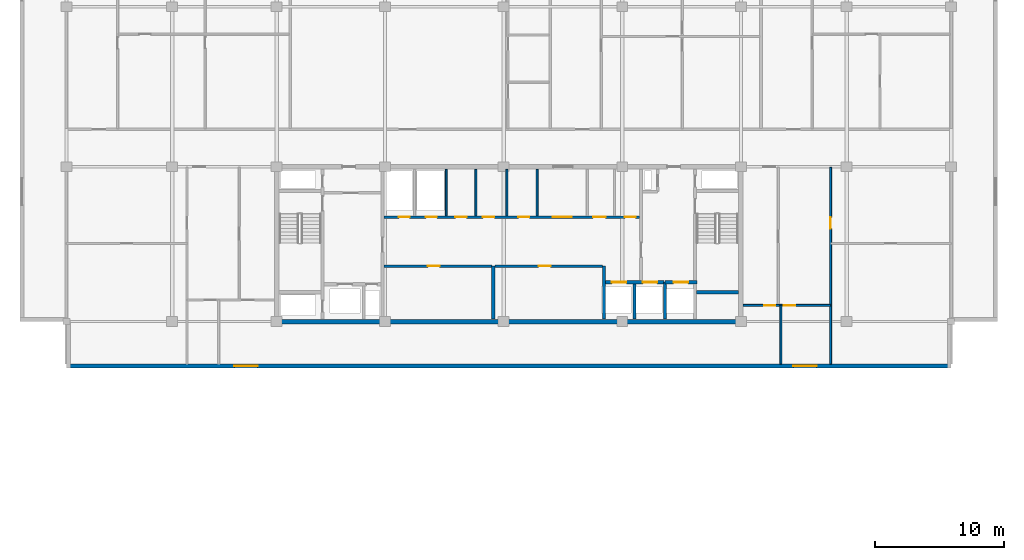
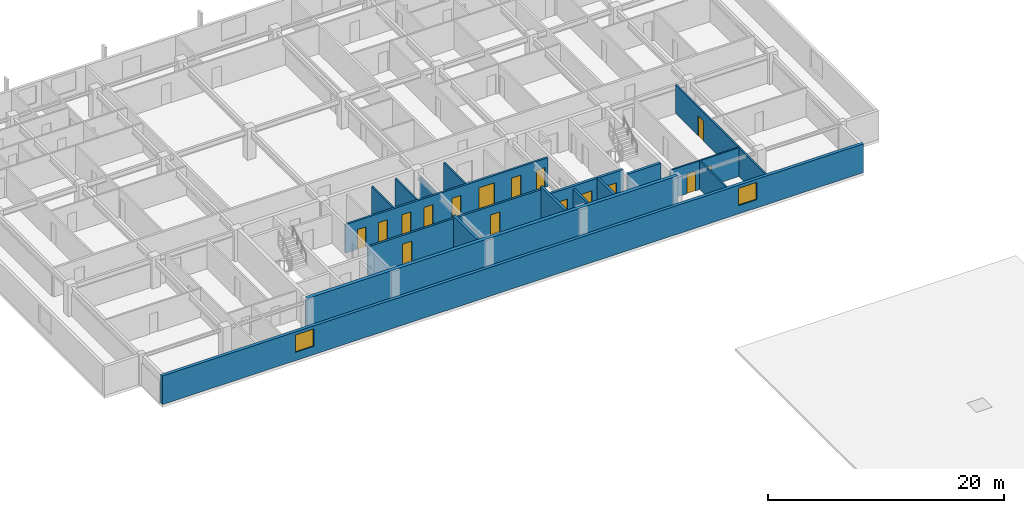
# One storey, part 4 of 11: 19 walls, 16 doors, 2 windows, 18 openings.
"""IFC4 building model written with IfcOpenShell, lengths in metres."""

from ifc_helpers import new_model, si_unit, direction, frame, frame_2d, origin, place, context, subcontext, project, spatial, rectangle, extrude, material, layer, layer_set, type_object, element, fill, save


model = new_model("IFC4")

# Units and contexts
model_context = context("Model", 3, precision=1e-05, world=origin(), true_north=direction((0.0, 1.0)))
body_context = subcontext(model_context, "Body", "Model", "MODEL_VIEW")
ifc_project = project(units=[si_unit("LENGTHUNIT", "METRE"), si_unit("AREAUNIT", "SQUARE_METRE"), si_unit("VOLUMEUNIT", "CUBIC_METRE"), si_unit("PLANEANGLEUNIT", "RADIAN"), si_unit("MASSUNIT", "GRAM", prefix="KILO")], contexts=[model_context])

# Site, building, storey
site_placement = place(None, origin())
site = spatial("IfcSite", under=ifc_project, at=site_placement, CompositionType="ELEMENT")
building_placement = place(site_placement, origin())
building = spatial("IfcBuilding", under=site, at=building_placement, Name="Korimba Cascade Residences", CompositionType="ELEMENT")
storey_placement = place(building_placement, frame((0.0, 0.0, 220.60009765625)))
storey = spatial("IfcBuildingStorey", under=building, at=storey_placement, Name="L64", CompositionType="ELEMENT", Elevation=220.60009765625)

# Wall, openings, windows
ifc_material_1 = material(Name="Precast concrete C40/50", Category="concrete")
ifc_layer_1 = layer(ifc_material_1, 0.300048828125)
ifc_layer_set_1 = layer_set([ifc_layer_1], Name="Precast concrete C40/50")
wall_type_1 = type_object("IfcWallType", Name="EW-STONE-300", PredefinedType="STANDARD", material=ifc_layer_set_1)
wall_1_placement = place(storey_placement, frame((59.800048828125, 51.75, 0.0), z_axis=(0.0, 0.0, 1.0), x_axis=(1.0, 0.0, 0.0)))
wall_1 = element("IfcWall", 1, at=wall_1_placement, inside=storey, type_object=wall_type_1, Name="L64 T1 Perimeter Stone Wall E00", PredefinedType="STANDARD", context=body_context, shape_type="SweptSolid", body=[
    extrude(rectangle(XDim=68.599853515625, YDim=0.300048828125, at=frame_2d((34.2998046875, 0.0))), origin(), (0.0, 0.0, 1.0), 2.969970703125),
])
opening_1_placement = place(wall_1_placement, frame((13.02490234375, 0.0, 0.85009765625)))
opening_1 = element("IfcOpeningElement", 2, at=opening_1_placement, cuts=wall_1, Name="Opening W-02", PredefinedType="OPENING", context=body_context, shape_type="SweptSolid", body=[
    extrude(rectangle(XDim=1.800048828125, YDim=1.800048828125, at=frame_2d((0.89990234375, 0.89990234375))), frame((0.0, 0.16015625, 0.0), z_axis=(0.0, -1.0, 0.0), x_axis=(1.0, 0.0, 0.0)), (0.0, 0.0, 1.0), 0.320068359375),
])
opening_2_placement = place(wall_1_placement, frame((56.375, 0.0, 0.85009765625)))
opening_2 = element("IfcOpeningElement", 3, at=opening_2_placement, cuts=wall_1, Name="Opening W-02", PredefinedType="OPENING", context=body_context, shape_type="SweptSolid", body=[
    extrude(rectangle(XDim=1.800048828125, YDim=1.800048828125, at=frame_2d((0.89990234375, 0.89990234375))), frame((0.0, 0.16015625, 0.0), z_axis=(0.0, -1.0, 0.0), x_axis=(1.0, 0.0, 0.0)), (0.0, 0.0, 1.0), 0.320068359375),
])
ifc_material_2 = material(Name="Double-Glazed Aluminium Window", Category="aluminium")
window_type = type_object("IfcWindowType", Name="WIN-BED-1800", PartitioningType="SINGLE_PANEL", PredefinedType="WINDOW", material=ifc_material_2)
window_1_placement = place(opening_1_placement, origin())
window_1 = element("IfcWindow", 4, at=window_1_placement, inside=storey, type_object=window_type, Name="L64 T1 South Corner Bedroom Window 1", OverallHeight=1.800048828125, OverallWidth=1.800048828125, PartitioningType="SINGLE_PANEL", PredefinedType="WINDOW", context=body_context, shape_type="SweptSolid", body=[
    extrude(rectangle(XDim=1.800048828125, YDim=1.800048828125, at=frame_2d((0.89990234375, 0.89990234375))), frame((0.0, 0.030029296875, 0.0), z_axis=(0.0, -1.0, 0.0), x_axis=(1.0, 0.0, 0.0)), (0.0, 0.0, 1.0), 0.06005859375),
])
fill(opening_1, window_1)
window_2_placement = place(opening_2_placement, origin())
window_2 = element("IfcWindow", 5, at=window_2_placement, inside=storey, type_object=window_type, Name="L64 T1 South Corner Bedroom Window 2", OverallHeight=1.800048828125, OverallWidth=1.800048828125, PartitioningType="SINGLE_PANEL", PredefinedType="WINDOW", context=body_context, shape_type="SweptSolid", body=[
    extrude(rectangle(XDim=1.800048828125, YDim=1.800048828125, at=frame_2d((0.89990234375, 0.89990234375))), frame((0.0, 0.030029296875, 0.0), z_axis=(0.0, -1.0, 0.0), x_axis=(1.0, 0.0, 0.0)), (0.0, 0.0, 1.0), 0.06005859375),
])
fill(opening_2, window_2)

# Walls
ifc_material_3 = material(Name="Concrete C65/80", Category="concrete")
ifc_layer_2 = layer(ifc_material_3, 0.35009765625)
ifc_layer_set_2 = layer_set([ifc_layer_2], Name="Concrete C65/80")
wall_type_2 = type_object("IfcWallType", Name="WAL-CORE-350", PredefinedType="SHEAR", material=ifc_layer_set_2)
wall_2_placement = place(storey_placement, frame((75.949951171875, 55.199951171875, 0.0), z_axis=(0.0, 0.0, 1.0), x_axis=(1.0, 0.0, 0.0)))
element("IfcWall", 6, at=wall_2_placement, inside=storey, type_object=wall_type_2, Name="L64 Core Shear Wall CW-L64-T1-S", PredefinedType="SHEAR", context=body_context, shape_type="SweptSolid", body=[
    extrude(rectangle(XDim=36.300048828125, YDim=0.35009765625, at=frame_2d((18.14990234375, 0.0))), origin(), (0.0, 0.0, 1.0), 3.25),
])
ifc_material_4 = material(Name="Insulated Acoustic Stud Partition", Category="gypsum")
ifc_layer_3 = layer(ifc_material_4, 0.14990234375)
ifc_layer_set_3 = layer_set([ifc_layer_3], Name="Insulated Acoustic Stud Partition")
wall_type_3 = type_object("IfcWallType", Name="WAL-PART-150", PredefinedType="PARTITIONING", material=ifc_layer_set_3)
for number, where, z_axis, x_axis, name in (
    (7, (89.25, 63.39990234375, 0.0), (0.0, 0.0, 1.0), (0.0, 1.0, 0.0), "L64 Partition Wall CW-L64-T1-PRDIV"),
    (8, (91.550048828125, 63.39990234375, 0.0), (0.0, 0.0, 1.0), (0.0, 1.0, 0.0), "L64 Partition Wall CW-L64-T1-CA1W1"),
):
    element("IfcWall", number, at=place(storey_placement, frame(where, z_axis=z_axis, x_axis=x_axis)), inside=storey, type_object=wall_type_3, Name=name, PredefinedType="PARTITIONING", context=body_context, shape_type="SweptSolid", body=[
        extrude(rectangle(XDim=3.60009765625, YDim=0.14990234375, at=frame_2d((1.800048828125, 0.0))), origin(), (0.0, 0.0, 1.0), 2.969970703125),
    ])
wall_3_placement = place(storey_placement, frame((93.949951171875, 63.39990234375, 0.0), z_axis=(0.0, 0.0, 1.0), x_axis=(0.0, 1.0, 0.0)))
element("IfcWall", 9, at=wall_3_placement, inside=storey, type_object=wall_type_3, Name="L64 Partition Wall CW-L64-T1-CA1W2", PredefinedType="PARTITIONING", context=body_context, shape_type="SweptSolid", body=[
    extrude(rectangle(XDim=3.60009765625, YDim=0.14990234375, at=frame_2d((1.800048828125, 0.0))), origin(), (0.0, 0.0, 1.0), 2.277099609375),
])
wall_4_placement = place(storey_placement, frame((96.300048828125, 63.39990234375, 0.0), z_axis=(0.0, 0.0, 1.0), x_axis=(0.0, 1.0, 0.0)))
element("IfcWall", 10, at=wall_4_placement, inside=storey, type_object=wall_type_3, Name="L64 Partition Wall CW-L64-T1-THW", PredefinedType="PARTITIONING", context=body_context, shape_type="SweptSolid", body=[
    extrude(rectangle(XDim=3.60009765625, YDim=0.14990234375, at=frame_2d((1.800048828125, 0.0))), origin(), (0.0, 0.0, 1.0), 2.969970703125),
])

# Wall, opening, door
wall_5_placement = place(storey_placement, frame((119.050048828125, 51.89990234375, 0.0), z_axis=(0.0, 0.0, 1.0), x_axis=(0.0, 1.0, 0.0)))
wall_5 = element("IfcWall", 11, at=wall_5_placement, inside=storey, type_object=wall_type_3, Name="L64 Partition Wall WAL-L64-T1-FE-STV", PredefinedType="PARTITIONING", context=body_context, shape_type="SweptSolid", body=[
    extrude(rectangle(XDim=15.25, YDim=0.14990234375, at=frame_2d((7.625, 0.0))), origin(), (0.0, 0.0, 1.0), 2.969970703125),
])
opening_3_placement = place(wall_5_placement, frame((10.5, 0.0, 0.0)))
opening_3 = element("IfcOpeningElement", 12, at=opening_3_placement, cuts=wall_5, Name="Opening D-IN2", PredefinedType="OPENING", context=body_context, shape_type="SweptSolid", body=[
    extrude(rectangle(XDim=0.8798828125, YDim=2.06005859375, at=frame_2d((0.43994140625, 1.030029296875))), frame((0.0, 0.0849609375, 0.0), z_axis=(0.0, -1.0, 0.0), x_axis=(1.0, 0.0, 0.0)), (0.0, 0.0, 1.0), 0.169921875),
])
ifc_material_5 = material(Name="Acoustic Timber Bedroom Door", Category="wood")
door_type_1 = type_object("IfcDoorType", Name="DR-INT-880", OperationType="NOTDEFINED", PredefinedType="DOOR", material=ifc_material_5)
door_1_placement = place(opening_3_placement, origin())
door_1 = element("IfcDoor", 13, at=door_1_placement, inside=storey, type_object=door_type_1, Name="L64-T1-FE Study Door", OperationType="SINGLE_SWING_RIGHT", OverallHeight=2.06005859375, OverallWidth=0.8798828125, PredefinedType="DOOR", context=body_context, shape_type="SweptSolid", body=[
    extrude(rectangle(XDim=0.8798828125, YDim=2.06005859375, at=frame_2d((0.43994140625, 1.030029296875))), frame((0.0, 0.02490234375, 0.0), z_axis=(0.0, -1.0, 0.0), x_axis=(1.0, 0.0, 0.0)), (0.0, 0.0, 1.0), 0.050048828125),
])
fill(opening_3, door_1)

# Wall
wall_6_placement = place(storey_placement, frame((115.199951171875, 51.89990234375, 0.0), z_axis=(0.0, 0.0, 1.0), x_axis=(0.0, 1.0, 0.0)))
element("IfcWall", 14, at=wall_6_placement, inside=storey, type_object=wall_type_3, Name="L64 Partition Wall WAL-L64-T1-FE-VS", PredefinedType="PARTITIONING", context=body_context, shape_type="SweptSolid", body=[
    extrude(rectangle(XDim=4.550048828125, YDim=0.14990234375, at=frame_2d((2.27490234375, 0.0))), origin(), (0.0, 0.0, 1.0), 2.969970703125),
])

# Wall, openings, doors
wall_7_placement = place(storey_placement, frame((112.27001953125, 56.449951171875, 0.0), z_axis=(0.0, 0.0, 1.0), x_axis=(1.0, 0.0, 0.0)))
wall_7 = element("IfcWall", 15, at=wall_7_placement, inside=storey, type_object=wall_type_3, Name="L64 Partition Wall WAL-L64-T1-FE-H", PredefinedType="PARTITIONING", context=body_context, shape_type="SweptSolid", body=[
    extrude(rectangle(XDim=6.760009765625, YDim=0.14990234375, at=frame_2d((3.3798828125, 0.0))), origin(), (0.0, 0.0, 1.0), 2.969970703125),
])
opening_4_placement = place(wall_7_placement, frame((1.6396484375, 0.0, 0.0)))
opening_4 = element("IfcOpeningElement", 16, at=opening_4_placement, cuts=wall_7, Name="Opening D-BT1", PredefinedType="OPENING", context=body_context, shape_type="SweptSolid", body=[
    extrude(rectangle(XDim=0.840087890625, YDim=2.0400390625, at=frame_2d((0.419921875, 1.02001953125))), frame((0.0, 0.0849609375, 0.0), z_axis=(0.0, -1.0, 0.0), x_axis=(1.0, 0.0, 0.0)), (0.0, 0.0, 1.0), 0.169921875),
])
opening_5_placement = place(wall_7_placement, frame((3.160400390625, 0.0, 0.0)))
opening_5 = element("IfcOpeningElement", 17, at=opening_5_placement, cuts=wall_7, Name="Opening D-IN2", PredefinedType="OPENING", context=body_context, shape_type="SweptSolid", body=[
    extrude(rectangle(XDim=0.8798828125, YDim=2.06005859375, at=frame_2d((0.43994140625, 1.030029296875))), frame((0.0, 0.0849609375, 0.0), z_axis=(0.0, -1.0, 0.0), x_axis=(1.0, 0.0, 0.0)), (0.0, 0.0, 1.0), 0.169921875),
])
ifc_material_6 = material(Name="Moisture-Resistant Bathroom Timber Door", Category="wood")
door_type_2 = type_object("IfcDoorType", Name="DR-INT-850", OperationType="NOTDEFINED", PredefinedType="DOOR", material=ifc_material_6)
door_2_placement = place(opening_4_placement, origin())
door_2 = element("IfcDoor", 18, at=door_2_placement, inside=storey, type_object=door_type_2, Name="L64-T1-FE Bathroom Door", OperationType="SINGLE_SWING_RIGHT", OverallHeight=2.0400390625, OverallWidth=0.840087890625, PredefinedType="DOOR", context=body_context, shape_type="SweptSolid", body=[
    extrude(rectangle(XDim=0.840087890625, YDim=2.0400390625, at=frame_2d((0.419921875, 1.02001953125))), frame((0.0, 0.02490234375, 0.0), z_axis=(0.0, -1.0, 0.0), x_axis=(1.0, 0.0, 0.0)), (0.0, 0.0, 1.0), 0.050048828125),
])
fill(opening_4, door_2)
door_3_placement = place(opening_5_placement, origin())
door_3 = element("IfcDoor", 19, at=door_3_placement, inside=storey, type_object=door_type_1, Name="L64-T1-FE Bedroom Door", OperationType="SINGLE_SWING_LEFT", OverallHeight=2.06005859375, OverallWidth=0.8798828125, PredefinedType="DOOR", context=body_context, shape_type="SweptSolid", body=[
    extrude(rectangle(XDim=0.8798828125, YDim=2.06005859375, at=frame_2d((0.43994140625, 1.030029296875))), frame((0.0, 0.02490234375, 0.0), z_axis=(0.0, -1.0, 0.0), x_axis=(1.0, 0.0, 0.0)), (0.0, 0.0, 1.0), 0.050048828125),
])
fill(opening_5, door_3)

# Wall, opening, door
ifc_material_7 = material(Name="Concrete C40/50", Category="concrete")
ifc_layer_4 = layer(ifc_material_7, 0.199951171875)
ifc_layer_set_4 = layer_set([ifc_layer_4], Name="Concrete C40/50")
wall_type_4 = type_object("IfcWallType", Name="WAL-PART-200", PredefinedType="PARTITIONING", material=ifc_layer_set_4)
wall_8_placement = place(storey_placement, frame((84.419921875, 59.5, 0.0), z_axis=(0.0, 0.0, 1.0), x_axis=(1.0, 0.0, 0.0)))
wall_8 = element("IfcWall", 20, at=wall_8_placement, inside=storey, type_object=wall_type_4, Name="L64 Partition Wall CW-L64-T1-B1RN", PredefinedType="PARTITIONING", context=body_context, shape_type="SweptSolid", body=[
    extrude(rectangle(XDim=8.360107421875, YDim=0.199951171875, at=frame_2d((4.18017578125, 0.0))), origin(), (0.0, 0.0, 1.0), 2.969970703125),
])
opening_6_placement = place(wall_8_placement, frame((3.39990234375, 0.0, 0.0)))
opening_6 = element("IfcOpeningElement", 21, at=opening_6_placement, cuts=wall_8, Name="Opening D-ST1", PredefinedType="OPENING", context=body_context, shape_type="SweptSolid", body=[
    extrude(rectangle(XDim=0.919921875, YDim=2.080078125, at=frame_2d((0.4599609375, 1.0400390625))), frame((0.0, 0.10986328125, 0.0), z_axis=(0.0, -1.0, 0.0), x_axis=(1.0, 0.0, 0.0)), (0.0, 0.0, 1.0), 0.219970703125),
])
ifc_material_8 = material(Name="Fire-Rated Core Store Door", Category="wood")
door_type_3 = type_object("IfcDoorType", Name="DR-FD60-920", OperationType="NOTDEFINED", PredefinedType="DOOR", material=ifc_material_8)
door_4_placement = place(opening_6_placement, origin())
door_4 = element("IfcDoor", 22, at=door_4_placement, inside=storey, type_object=door_type_3, Name="L64 Resident Storage Door", OperationType="SINGLE_SWING_RIGHT", OverallHeight=2.080078125, OverallWidth=0.919921875, PredefinedType="DOOR", context=body_context, shape_type="SweptSolid", body=[
    extrude(rectangle(XDim=0.919921875, YDim=2.080078125, at=frame_2d((0.4599609375, 1.0400390625))), frame((0.0, 0.02490234375, 0.0), z_axis=(0.0, -1.0, 0.0), x_axis=(1.0, 0.0, 0.0)), (0.0, 0.0, 1.0), 0.050048828125),
])
fill(opening_6, door_4)

wall_9_placement = place(storey_placement, frame((93.02001953125, 59.5, 0.0), z_axis=(0.0, 0.0, 1.0), x_axis=(1.0, 0.0, 0.0)))
wall_9 = element("IfcWall", 23, at=wall_9_placement, inside=storey, type_object=wall_type_4, Name="L64 Partition Wall CW-L64-T1-B2RN", PredefinedType="PARTITIONING", context=body_context, shape_type="SweptSolid", body=[
    extrude(rectangle(XDim=8.35986328125, YDim=0.199951171875, at=frame_2d((4.179931640625, 0.0))), origin(), (0.0, 0.0, 1.0), 2.969970703125),
])
opening_7_placement = place(wall_9_placement, frame((3.39990234375, 0.0, 0.0)))
opening_7 = element("IfcOpeningElement", 24, at=opening_7_placement, cuts=wall_9, Name="Opening D-ST1", PredefinedType="OPENING", context=body_context, shape_type="SweptSolid", body=[
    extrude(rectangle(XDim=0.919921875, YDim=2.080078125, at=frame_2d((0.4599609375, 1.0400390625))), frame((0.0, 0.10986328125, 0.0), z_axis=(0.0, -1.0, 0.0), x_axis=(1.0, 0.0, 0.0)), (0.0, 0.0, 1.0), 0.219970703125),
])
door_5_placement = place(opening_7_placement, origin())
door_5 = element("IfcDoor", 25, at=door_5_placement, inside=storey, type_object=door_type_3, Name="L64 Wine Cellar Store Door", OperationType="SINGLE_SWING_LEFT", OverallHeight=2.080078125, OverallWidth=0.919921875, PredefinedType="DOOR", context=body_context, shape_type="SweptSolid", body=[
    extrude(rectangle(XDim=0.919921875, YDim=2.080078125, at=frame_2d((0.4599609375, 1.0400390625))), frame((0.0, 0.02490234375, 0.0), z_axis=(0.0, -1.0, 0.0), x_axis=(1.0, 0.0, 0.0)), (0.0, 0.0, 1.0), 0.050048828125),
])
fill(opening_7, door_5)

# Wall
wall_10_placement = place(storey_placement, frame((103.85009765625, 55.39990234375, 0.0), z_axis=(0.0, 0.0, 1.0), x_axis=(0.0, 1.0, 0.0)))
element("IfcWall", 26, at=wall_10_placement, inside=storey, type_object=wall_type_4, Name="L64 Partition Wall CW-L64-T1-B3D1", PredefinedType="PARTITIONING", context=body_context, shape_type="SweptSolid", body=[
    extrude(rectangle(XDim=2.72021484375, YDim=0.199951171875, at=frame_2d((1.360107421875, 0.0))), origin(), (0.0, 0.0, 1.0), 2.969970703125),
])

# Wall, openings, doors
wall_11_placement = place(storey_placement, frame((84.419921875, 63.300048828125, 0.0), z_axis=(0.0, 0.0, 1.0), x_axis=(1.0, 0.0, 0.0)))
wall_11 = element("IfcWall", 27, at=wall_11_placement, inside=storey, type_object=wall_type_4, Name="L64 Partition Wall CW-L64-T1-SRVROW", PredefinedType="PARTITIONING", context=body_context, shape_type="SweptSolid", body=[
    extrude(rectangle(XDim=19.830078125, YDim=0.199951171875, at=frame_2d((9.9150390625, 0.0))), origin(), (0.0, 0.0, 1.0), 2.969970703125),
])
opening_8_placement = place(wall_11_placement, frame((1.14990234375, 0.0, 0.0)))
opening_8 = element("IfcOpeningElement", 28, at=opening_8_placement, cuts=wall_11, Name="Opening D-RS1", PredefinedType="OPENING", context=body_context, shape_type="SweptSolid", body=[
    extrude(rectangle(XDim=0.85009765625, YDim=2.050048828125, at=frame_2d((0.425048828125, 1.02490234375))), frame((0.0, 0.10986328125, 0.0), z_axis=(0.0, -1.0, 0.0), x_axis=(1.0, 0.0, 0.0)), (0.0, 0.0, 1.0), 0.219970703125),
])
opening_9_placement = place(wall_11_placement, frame((3.25, 0.0, 0.0)))
opening_9 = element("IfcOpeningElement", 29, at=opening_9_placement, cuts=wall_11, Name="Opening D-RS1", PredefinedType="OPENING", context=body_context, shape_type="SweptSolid", body=[
    extrude(rectangle(XDim=0.85009765625, YDim=2.050048828125, at=frame_2d((0.425048828125, 1.02490234375))), frame((0.0, 0.10986328125, 0.0), z_axis=(0.0, -1.0, 0.0), x_axis=(1.0, 0.0, 0.0)), (0.0, 0.0, 1.0), 0.219970703125),
])
opening_10_placement = place(wall_11_placement, frame((13.080078125, 0.0, 0.0)))
opening_10 = element("IfcOpeningElement", 30, at=opening_10_placement, cuts=wall_11, Name="Opening D-FD8", PredefinedType="OPENING", context=body_context, shape_type="SweptSolid", body=[
    extrude(rectangle(XDim=1.5, YDim=2.199951171875, at=frame_2d((0.75, 1.10009765625))), frame((0.0, 0.10986328125, 0.0), z_axis=(0.0, -1.0, 0.0), x_axis=(1.0, 0.0, 0.0)), (0.0, 0.0, 1.0), 0.219970703125),
])
opening_11_placement = place(wall_11_placement, frame((5.530029296875, 0.0, 0.0)))
opening_11 = element("IfcOpeningElement", 31, at=opening_11_placement, cuts=wall_11, Name="Opening D-IN2", PredefinedType="OPENING", context=body_context, shape_type="SweptSolid", body=[
    extrude(rectangle(XDim=0.8798828125, YDim=2.06005859375, at=frame_2d((0.43994140625, 1.030029296875))), frame((0.0, 0.10986328125, 0.0), z_axis=(0.0, -1.0, 0.0), x_axis=(1.0, 0.0, 0.0)), (0.0, 0.0, 1.0), 0.219970703125),
])
opening_12_placement = place(wall_11_placement, frame((7.679931640625, 0.0, 0.0)))
opening_12 = element("IfcOpeningElement", 32, at=opening_12_placement, cuts=wall_11, Name="Opening D-IN2", PredefinedType="OPENING", context=body_context, shape_type="SweptSolid", body=[
    extrude(rectangle(XDim=0.8798828125, YDim=2.06005859375, at=frame_2d((0.43994140625, 1.030029296875))), frame((0.0, 0.10986328125, 0.0), z_axis=(0.0, -1.0, 0.0), x_axis=(1.0, 0.0, 0.0)), (0.0, 0.0, 1.0), 0.219970703125),
])
opening_13_placement = place(wall_11_placement, frame((10.429931640625, 0.0, 0.0)))
opening_13 = element("IfcOpeningElement", 33, at=opening_13_placement, cuts=wall_11, Name="Opening D-RS1", PredefinedType="OPENING", context=body_context, shape_type="SweptSolid", body=[
    extrude(rectangle(XDim=0.85009765625, YDim=2.050048828125, at=frame_2d((0.425048828125, 1.02490234375))), frame((0.0, 0.10986328125, 0.0), z_axis=(0.0, -1.0, 0.0), x_axis=(1.0, 0.0, 0.0)), (0.0, 0.0, 1.0), 0.219970703125),
])
opening_14_placement = place(wall_11_placement, frame((16.22998046875, 0.0, 0.0)))
opening_14 = element("IfcOpeningElement", 34, at=opening_14_placement, cuts=wall_11, Name="Opening D-AC1", PredefinedType="OPENING", context=body_context, shape_type="SweptSolid", body=[
    extrude(rectangle(XDim=0.9599609375, YDim=2.10009765625, at=frame_2d((0.47998046875, 1.050048828125))), frame((0.0, 0.10986328125, 0.0), z_axis=(0.0, -1.0, 0.0), x_axis=(1.0, 0.0, 0.0)), (0.0, 0.0, 1.0), 0.219970703125),
])
opening_15_placement = place(wall_11_placement, frame((18.679931640625, 0.0, 0.0)))
opening_15 = element("IfcOpeningElement", 35, at=opening_15_placement, cuts=wall_11, Name="Opening D-BT1", PredefinedType="OPENING", context=body_context, shape_type="SweptSolid", body=[
    extrude(rectangle(XDim=0.840087890625, YDim=2.0400390625, at=frame_2d((0.419921875, 1.02001953125))), frame((0.0, 0.10986328125, 0.0), z_axis=(0.0, -1.0, 0.0), x_axis=(1.0, 0.0, 0.0)), (0.0, 0.0, 1.0), 0.219970703125),
])
ifc_material_9 = material(Name="Accessible Acoustic Timber WC Door", Category="wood")
door_type_4 = type_object("IfcDoorType", Name="DR-ACC-950", OperationType="NOTDEFINED", PredefinedType="DOOR", material=ifc_material_9)
door_6_placement = place(opening_14_placement, origin())
door_6 = element("IfcDoor", 36, at=door_6_placement, inside=storey, type_object=door_type_4, Name="L64 Accessible Staff WC Door", OperationType="SINGLE_SWING_LEFT", OverallHeight=2.10009765625, OverallWidth=0.9599609375, PredefinedType="DOOR", context=body_context, shape_type="SweptSolid", body=[
    extrude(rectangle(XDim=0.9599609375, YDim=2.10009765625, at=frame_2d((0.47998046875, 1.050048828125))), frame((0.0, 0.02490234375, 0.0), z_axis=(0.0, -1.0, 0.0), x_axis=(1.0, 0.0, 0.0)), (0.0, 0.0, 1.0), 0.050048828125),
])
fill(opening_14, door_6)
ifc_material_10 = material(Name="Fire-Rated Steel Riser Access Door", Category="steel")
door_type_5 = type_object("IfcDoorType", Name="DR-FD60-850", OperationType="NOTDEFINED", PredefinedType="DOOR", material=ifc_material_10)
door_7_placement = place(opening_8_placement, origin())
door_7 = element("IfcDoor", 37, at=door_7_placement, inside=storey, type_object=door_type_5, Name="L64 Electrical Riser Door", OperationType="SINGLE_SWING_RIGHT", OverallHeight=2.050048828125, OverallWidth=0.85009765625, PredefinedType="DOOR", context=body_context, shape_type="SweptSolid", body=[
    extrude(rectangle(XDim=0.85009765625, YDim=2.050048828125, at=frame_2d((0.425048828125, 1.02490234375))), frame((0.0, 0.02490234375, 0.0), z_axis=(0.0, -1.0, 0.0), x_axis=(1.0, 0.0, 0.0)), (0.0, 0.0, 1.0), 0.050048828125),
])
fill(opening_8, door_7)
door_8_placement = place(opening_9_placement, origin())
door_8 = element("IfcDoor", 38, at=door_8_placement, inside=storey, type_object=door_type_5, Name="L64 Plumbing Riser Door", OperationType="SINGLE_SWING_LEFT", OverallHeight=2.050048828125, OverallWidth=0.85009765625, PredefinedType="DOOR", context=body_context, shape_type="SweptSolid", body=[
    extrude(rectangle(XDim=0.85009765625, YDim=2.050048828125, at=frame_2d((0.425048828125, 1.02490234375))), frame((0.0, 0.02490234375, 0.0), z_axis=(0.0, -1.0, 0.0), x_axis=(1.0, 0.0, 0.0)), (0.0, 0.0, 1.0), 0.050048828125),
])
fill(opening_9, door_8)
door_9_placement = place(opening_13_placement, origin())
door_9 = element("IfcDoor", 39, at=door_9_placement, inside=storey, type_object=door_type_5, Name="L64 IT Room Door", OperationType="SINGLE_SWING_RIGHT", OverallHeight=2.050048828125, OverallWidth=0.85009765625, PredefinedType="DOOR", context=body_context, shape_type="SweptSolid", body=[
    extrude(rectangle(XDim=0.85009765625, YDim=2.050048828125, at=frame_2d((0.425048828125, 1.02490234375))), frame((0.0, 0.02490234375, 0.0), z_axis=(0.0, -1.0, 0.0), x_axis=(1.0, 0.0, 0.0)), (0.0, 0.0, 1.0), 0.050048828125),
])
fill(opening_13, door_9)
ifc_material_11 = material(Name="Fire-Rated Glazed Lift Lobby Double Door", Category="glass")
door_type_6 = type_object("IfcDoorType", Name="DR-FD90-1500", OperationType="NOTDEFINED", PredefinedType="DOOR", material=ifc_material_11)
door_10_placement = place(opening_10_placement, origin())
door_10 = element("IfcDoor", 40, at=door_10_placement, inside=storey, type_object=door_type_6, Name="L64 Lift Lobby Foyer Archway Door", OperationType="DOUBLE_DOOR_SINGLE_SWING", OverallHeight=2.199951171875, OverallWidth=1.5, PredefinedType="DOOR", context=body_context, shape_type="SweptSolid", body=[
    extrude(rectangle(XDim=1.5, YDim=2.199951171875, at=frame_2d((0.75, 1.10009765625))), frame((0.0, 0.02490234375, 0.0), z_axis=(0.0, -1.0, 0.0), x_axis=(1.0, 0.0, 0.0)), (0.0, 0.0, 1.0), 0.050048828125),
])
fill(opening_10, door_10)
door_11_placement = place(opening_15_placement, origin())
door_11 = element("IfcDoor", 41, at=door_11_placement, inside=storey, type_object=door_type_2, Name="L64 Vending Room Door", OperationType="SINGLE_SWING_RIGHT", OverallHeight=2.0400390625, OverallWidth=0.840087890625, PredefinedType="DOOR", context=body_context, shape_type="SweptSolid", body=[
    extrude(rectangle(XDim=0.840087890625, YDim=2.0400390625, at=frame_2d((0.419921875, 1.02001953125))), frame((0.0, 0.02490234375, 0.0), z_axis=(0.0, -1.0, 0.0), x_axis=(1.0, 0.0, 0.0)), (0.0, 0.0, 1.0), 0.050048828125),
])
fill(opening_15, door_11)
door_12_placement = place(opening_11_placement, origin())
door_12 = element("IfcDoor", 42, at=door_12_placement, inside=storey, type_object=door_type_1, Name="L64 Cleaners Door", OperationType="SINGLE_SWING_RIGHT", OverallHeight=2.06005859375, OverallWidth=0.8798828125, PredefinedType="DOOR", context=body_context, shape_type="SweptSolid", body=[
    extrude(rectangle(XDim=0.8798828125, YDim=2.06005859375, at=frame_2d((0.43994140625, 1.030029296875))), frame((0.0, 0.02490234375, 0.0), z_axis=(0.0, -1.0, 0.0), x_axis=(1.0, 0.0, 0.0)), (0.0, 0.0, 1.0), 0.050048828125),
])
fill(opening_11, door_12)
door_13_placement = place(opening_12_placement, origin())
door_13 = element("IfcDoor", 43, at=door_13_placement, inside=storey, type_object=door_type_1, Name="L64 Pantry Door", OperationType="SINGLE_SWING_LEFT", OverallHeight=2.06005859375, OverallWidth=0.8798828125, PredefinedType="DOOR", context=body_context, shape_type="SweptSolid", body=[
    extrude(rectangle(XDim=0.8798828125, YDim=2.06005859375, at=frame_2d((0.43994140625, 1.030029296875))), frame((0.0, 0.02490234375, 0.0), z_axis=(0.0, -1.0, 0.0), x_axis=(1.0, 0.0, 0.0)), (0.0, 0.0, 1.0), 0.050048828125),
])
fill(opening_12, door_13)

# Walls
ifc_material_12 = material(Name="Concrete C50/60", Category="concrete")
ifc_layer_5 = layer(ifc_material_12, 0.25)
ifc_layer_set_5 = layer_set([ifc_layer_5], Name="Concrete C50/60")
wall_type_5 = type_object("IfcWallType", Name="WAL-SHAFT-250", PredefinedType="SHEAR", material=ifc_layer_set_5)
for number, where, z_axis, x_axis, name in (
    (44, (92.89990234375, 55.39990234375, 0.0), (0.0, 0.0, 1.0), (0.0, 1.0, 0.0), "L64 Core Shear Wall CW-L64-T1-B12DIV"),
    (45, (101.47998046875, 55.39990234375, 0.0), (0.0, 0.0, 1.0), (0.0, 1.0, 0.0), "L64 Core Shear Wall CW-L64-T1-B23DIV"),
):
    element("IfcWall", number, at=place(storey_placement, frame(where, z_axis=z_axis, x_axis=x_axis)), inside=storey, type_object=wall_type_5, Name=name, PredefinedType="SHEAR", context=body_context, shape_type="SweptSolid", body=[
        extrude(rectangle(XDim=4.10009765625, YDim=0.25, at=frame_2d((2.050048828125, 0.0))), origin(), (0.0, 0.0, 1.0), 3.25),
    ])

# Wall, openings, doors
wall_12_placement = place(storey_placement, frame((101.550048828125, 58.25, 0.0), z_axis=(0.0, 0.0, 1.0), x_axis=(1.0, 0.0, 0.0)))
wall_12 = element("IfcWall", 46, at=wall_12_placement, inside=storey, type_object=wall_type_5, Name="L64 Core Shear Wall CW-L64-T1-B3N", PredefinedType="SHEAR", context=body_context, shape_type="SweptSolid", body=[
    extrude(rectangle(XDim=4.599853515625, YDim=0.25, at=frame_2d((2.2998046875, 0.0))), origin(), (0.0, 0.0, 1.0), 3.25),
])
opening_16_placement = place(wall_12_placement, frame((0.5400390625, 0.0, 0.0)))
opening_16 = element("IfcOpeningElement", 47, at=opening_16_placement, cuts=wall_12, Name="Opening LD-01", PredefinedType="OPENING", context=body_context, shape_type="SweptSolid", body=[
    extrude(rectangle(XDim=1.1201171875, YDim=2.1201171875, at=frame_2d((0.56005859375, 1.06005859375))), frame((0.0, 0.135009765625, 0.0), z_axis=(0.0, -1.0, 0.0), x_axis=(1.0, 0.0, 0.0)), (0.0, 0.0, 1.0), 0.27001953125),
])
opening_17_placement = place(wall_12_placement, frame((2.93994140625, 0.0, 0.0)))
opening_17 = element("IfcOpeningElement", 48, at=opening_17_placement, cuts=wall_12, Name="Opening LD-01", PredefinedType="OPENING", context=body_context, shape_type="SweptSolid", body=[
    extrude(rectangle(XDim=1.1201171875, YDim=2.1201171875, at=frame_2d((0.56005859375, 1.06005859375))), frame((0.0, 0.135009765625, 0.0), z_axis=(0.0, -1.0, 0.0), x_axis=(1.0, 0.0, 0.0)), (0.0, 0.0, 1.0), 0.27001953125),
])
ifc_material_13 = material(Name="Stainless Steel Lift Landing Sliding Door", Category="steel")
door_type_7 = type_object("IfcDoorType", Name="DR-LIFT-1100", OperationType="NOTDEFINED", PredefinedType="DOOR", material=ifc_material_13)
door_14_placement = place(opening_16_placement, origin())
door_14 = element("IfcDoor", 49, at=door_14_placement, inside=storey, type_object=door_type_7, Name="L64 Lift Landing Door PL-W7", OperationType="SLIDING_TO_LEFT", OverallHeight=2.1201171875, OverallWidth=1.1201171875, PredefinedType="DOOR", context=body_context, shape_type="SweptSolid", body=[
    extrude(rectangle(XDim=1.1201171875, YDim=2.1201171875, at=frame_2d((0.56005859375, 1.06005859375))), frame((0.0, 0.02490234375, 0.0), z_axis=(0.0, -1.0, 0.0), x_axis=(1.0, 0.0, 0.0)), (0.0, 0.0, 1.0), 0.050048828125),
])
fill(opening_16, door_14)
door_15_placement = place(opening_17_placement, origin())
door_15 = element("IfcDoor", 50, at=door_15_placement, inside=storey, type_object=door_type_7, Name="L64 Lift Landing Door PL-W8", OperationType="SLIDING_TO_LEFT", OverallHeight=2.1201171875, OverallWidth=1.1201171875, PredefinedType="DOOR", context=body_context, shape_type="SweptSolid", body=[
    extrude(rectangle(XDim=1.1201171875, YDim=2.1201171875, at=frame_2d((0.56005859375, 1.06005859375))), frame((0.0, 0.02490234375, 0.0), z_axis=(0.0, -1.0, 0.0), x_axis=(1.0, 0.0, 0.0)), (0.0, 0.0, 1.0), 0.050048828125),
])
fill(opening_17, door_15)

# Wall
wall_13_placement = place(storey_placement, frame((106.219970703125, 55.39990234375, 0.0), z_axis=(0.0, 0.0, 1.0), x_axis=(0.0, 1.0, 0.0)))
element("IfcWall", 51, at=wall_13_placement, inside=storey, type_object=wall_type_5, Name="L64 Core Shear Wall CW-L64-T1-FF2W", PredefinedType="SHEAR", context=body_context, shape_type="SweptSolid", body=[
    extrude(rectangle(XDim=2.85009765625, YDim=0.25, at=frame_2d((1.425048828125, 0.0))), origin(), (0.0, 0.0, 1.0), 3.25),
])

# Wall, opening, door
wall_14_placement = place(storey_placement, frame((106.219970703125, 58.25, 0.0), z_axis=(0.0, 0.0, 1.0), x_axis=(1.0, 0.0, 0.0)))
wall_14 = element("IfcWall", 52, at=wall_14_placement, inside=storey, type_object=wall_type_5, Name="L64 Core Shear Wall CW-L64-T1-FF2N", PredefinedType="SHEAR", context=body_context, shape_type="SweptSolid", body=[
    extrude(rectangle(XDim=2.4599609375, YDim=0.25, at=frame_2d((1.22998046875, 0.0))), origin(), (0.0, 0.0, 1.0), 3.25),
])
opening_18_placement = place(wall_14_placement, frame((0.669921875, 0.0, 0.0)))
opening_18 = element("IfcOpeningElement", 53, at=opening_18_placement, cuts=wall_14, Name="Opening LD-01", PredefinedType="OPENING", context=body_context, shape_type="SweptSolid", body=[
    extrude(rectangle(XDim=1.1201171875, YDim=2.1201171875, at=frame_2d((0.56005859375, 1.06005859375))), frame((0.0, 0.135009765625, 0.0), z_axis=(0.0, -1.0, 0.0), x_axis=(1.0, 0.0, 0.0)), (0.0, 0.0, 1.0), 0.27001953125),
])
door_16_placement = place(opening_18_placement, origin())
door_16 = element("IfcDoor", 54, at=door_16_placement, inside=storey, type_object=door_type_7, Name="L64 Firefighting Lift Landing Door FFL-W2", OperationType="SLIDING_TO_RIGHT", OverallHeight=2.1201171875, OverallWidth=1.1201171875, PredefinedType="DOOR", context=body_context, shape_type="SweptSolid", body=[
    extrude(rectangle(XDim=1.1201171875, YDim=2.1201171875, at=frame_2d((0.56005859375, 1.06005859375))), frame((0.0, 0.02490234375, 0.0), z_axis=(0.0, -1.0, 0.0), x_axis=(1.0, 0.0, 0.0)), (0.0, 0.0, 1.0), 0.050048828125),
])
fill(opening_18, door_16)

# Wall
wall_15_placement = place(storey_placement, frame((108.659912109375, 57.47509765625, 0.0), z_axis=(0.0, 0.0, 1.0), x_axis=(1.0, 0.0, 0.0)))
element("IfcWall", 55, at=wall_15_placement, inside=storey, type_object=wall_type_5, Name="L64 Core Shear Wall CW-L64-T1-STW2S", PredefinedType="SHEAR", context=body_context, shape_type="SweptSolid", body=[
    extrude(rectangle(XDim=3.239990234375, YDim=0.25, at=frame_2d((1.6201171875, 0.0))), origin(), (0.0, 0.0, 1.0), 3.25),
])

save(model, "model.ifc")
